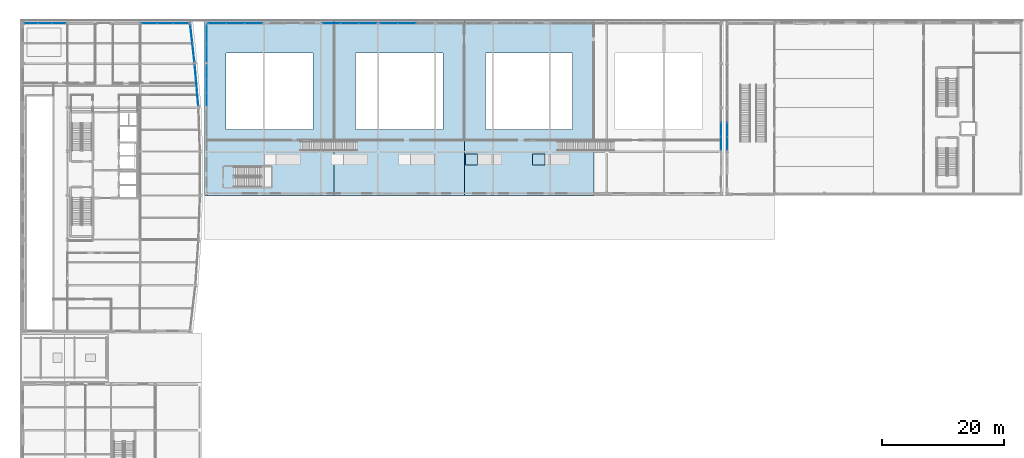
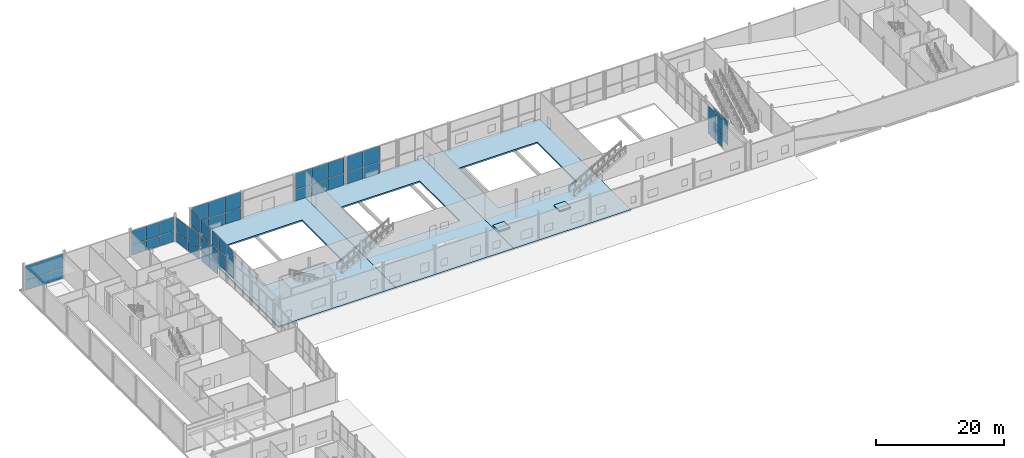
# One storey, part 57 of 83: 55 plates, 5 slabs, 11 elements without a shape of their own.
"""IFC4 building model written with IfcOpenShell, lengths in metres."""

from ifc_helpers import new_model, si_unit, direction, frame, origin, origin_2d, place, context, subcontext, project, spatial, polyline, rectangle, outline, extrude, material, layer, layer_set, type_object, element, aggregate, save


model = new_model("IFC4")

# Units and contexts
model_context = context("Model", 3, precision=1e-05, world=origin(), true_north=direction((0.0, 1.0)))
body_context = subcontext(model_context, "Body", "Model", "MODEL_VIEW")
ifc_project = project(units=[si_unit("LENGTHUNIT", "METRE"), si_unit("AREAUNIT", "SQUARE_METRE"), si_unit("VOLUMEUNIT", "CUBIC_METRE"), si_unit("PLANEANGLEUNIT", "RADIAN"), si_unit("MASSUNIT", "GRAM", prefix="KILO")], contexts=[model_context])

# Site, building, storey
site_placement = place(None, origin())
site = spatial("IfcSite", under=ifc_project, at=site_placement, CompositionType="ELEMENT")
building_placement = place(site_placement, origin())
building = spatial("IfcBuilding", under=site, at=building_placement, Name="Quillay Park Conservatory", CompositionType="ELEMENT")
storey_placement = place(building_placement, origin())
storey = spatial("IfcBuildingStorey", under=building, at=storey_placement, Name="L00", CompositionType="ELEMENT", Elevation=0.0)

# Curtain wall, plates
ifc_material_1 = material(Name="Thermally Broken Anodised Aluminium 6063-T6", Category="aluminium")
ifc_layer_1 = layer(ifc_material_1, 0.179931640625)
ifc_layer_set_1 = layer_set([ifc_layer_1], Name="UNITISED CURTAIN WALL TOWER (Thermally Broken Anodised Aluminium 6063-T6)")
curtain_wall_type_1 = type_object("IfcCurtainWallType", Name="UNITISED CURTAIN WALL TOWER", PredefinedType="USERDEFINED", material=ifc_layer_set_1)
curtain_wall_1_placement = place(storey_placement, origin())
curtain_wall_1 = element("IfcCurtainWall", 1, at=curtain_wall_1_placement, inside=storey, type_object=curtain_wall_type_1, Name="L00 Unitised Curtain Wall 006", ObjectType="UNITISED CURTAIN WALL", PredefinedType="USERDEFINED")
ifc_material_2 = material(Name="Low-E Double Glazing (Laminated Tempered)", Category="glass")
ifc_layer_2 = layer(ifc_material_2, 0.028076171875)
ifc_layer_set_2 = layer_set([ifc_layer_2], Name="CURTAIN WALL GLAZED PANEL 28 (Low-E Double Glazing (Laminated Tempered))")
plate_type_1 = type_object("IfcPlateType", Name="CURTAIN WALL GLAZED PANEL 28", PredefinedType="CURTAIN_PANEL", material=ifc_layer_set_2)
plate_1_placement = place(storey_placement, frame((28.792236328125, 105.44970703125, 0.06982421875), z_axis=(0.0, 0.0, 1.0), x_axis=(0.086480444465, -0.996253548413, 0.0)))
plate_1 = element("IfcPlate", 2, at=plate_1_placement, type_object=plate_type_1, Name="CW-T1 panel 1.1", PredefinedType="CURTAIN_PANEL", context=body_context, shape_type="SweptSolid", body=[
    extrude(rectangle(XDim=2.170654296875, YDim=0.028076171875, at=origin_2d()), origin(), (0.0, 0.0, 1.0), 1.906494140625),
])
plate_2_placement = place(storey_placement, frame((28.792236328125, 105.44970703125, 2.04638671875), z_axis=(0.0, 0.0, 1.0), x_axis=(0.086480444465, -0.996253548413, 0.0)))
plate_2 = element("IfcPlate", 3, at=plate_2_placement, type_object=plate_type_1, Name="CW-T1 panel 1.2", PredefinedType="CURTAIN_PANEL", context=body_context, shape_type="SweptSolid", body=[
    extrude(rectangle(XDim=2.170654296875, YDim=0.028076171875, at=origin_2d()), origin(), (0.0, 0.0, 1.0), 2.672607421875),
])
plate_3_placement = place(storey_placement, frame((28.987548828125, 103.199951171875, 0.06982421875), z_axis=(0.0, 0.0, 1.0), x_axis=(0.086480444465, -0.996253548413, 0.0)))
plate_3 = element("IfcPlate", 4, at=plate_3_placement, type_object=plate_type_1, Name="CW-T1 panel 2.1", PredefinedType="CURTAIN_PANEL", context=body_context, shape_type="SweptSolid", body=[
    extrude(rectangle(XDim=2.20556640625, YDim=0.028076171875, at=origin_2d()), origin(), (0.0, 0.0, 1.0), 1.906494140625),
])
plate_4_placement = place(storey_placement, frame((28.987548828125, 103.199951171875, 2.04638671875), z_axis=(0.0, 0.0, 1.0), x_axis=(0.086480444465, -0.996253548413, 0.0)))
plate_4 = element("IfcPlate", 5, at=plate_4_placement, type_object=plate_type_1, Name="CW-T1 panel 2.2", PredefinedType="CURTAIN_PANEL", context=body_context, shape_type="SweptSolid", body=[
    extrude(rectangle(XDim=2.20556640625, YDim=0.028076171875, at=origin_2d()), origin(), (0.0, 0.0, 1.0), 2.672607421875),
])
plate_5_placement = place(storey_placement, frame((29.182861328125, 100.9501953125, 2.04638671875), z_axis=(0.0, 0.0, 1.0), x_axis=(0.086480444465, -0.996253548413, 0.0)))
plate_5 = element("IfcPlate", 6, at=plate_5_placement, type_object=plate_type_1, Name="CW-T1 panel 3.2", PredefinedType="CURTAIN_PANEL", context=body_context, shape_type="SweptSolid", body=[
    extrude(rectangle(XDim=2.170654296875, YDim=0.028076171875, at=origin_2d()), origin(), (0.0, 0.0, 1.0), 2.672607421875),
])
aggregate(curtain_wall_1, [plate_1, plate_2, plate_3, plate_4, plate_5])

curtain_wall_2_placement = place(storey_placement, origin())
curtain_wall_2 = element("IfcCurtainWall", 7, at=curtain_wall_2_placement, inside=storey, type_object=curtain_wall_type_1, Name="L00 Unitised Curtain Wall 007", ObjectType="UNITISED CURTAIN WALL", PredefinedType="USERDEFINED")
plate_6_placement = place(storey_placement, frame((28.125732421875, 111.63330078125, 0.06982421875), z_axis=(0.0, 0.0, 1.0), x_axis=(0.112903218278, -0.993605989969, 0.0)))
plate_6 = element("IfcPlate", 8, at=plate_6_placement, type_object=plate_type_1, Name="CW-T1 panel 1.1", PredefinedType="CURTAIN_PANEL", context=body_context, shape_type="SweptSolid", body=[
    extrude(rectangle(XDim=3.016357421875, YDim=0.028076171875, at=origin_2d()), origin(), (0.0, 0.0, 1.0), 1.906494140625),
])
plate_7_placement = place(storey_placement, frame((28.125732421875, 111.63330078125, 2.04638671875), z_axis=(0.0, 0.0, 1.0), x_axis=(0.112903218278, -0.993605989969, 0.0)))
plate_7 = element("IfcPlate", 9, at=plate_7_placement, type_object=plate_type_1, Name="CW-T1 panel 1.2", PredefinedType="CURTAIN_PANEL", context=body_context, shape_type="SweptSolid", body=[
    extrude(rectangle(XDim=3.016357421875, YDim=0.028076171875, at=origin_2d()), origin(), (0.0, 0.0, 1.0), 2.672607421875),
])
plate_8_placement = place(storey_placement, frame((28.47412109375, 108.566650390625, 0.06982421875), z_axis=(0.0, 0.0, 1.0), x_axis=(0.112903218278, -0.993605989969, 0.0)))
plate_8 = element("IfcPlate", 10, at=plate_8_placement, type_object=plate_type_1, Name="CW-T1 panel 2.1", PredefinedType="CURTAIN_PANEL", context=body_context, shape_type="SweptSolid", body=[
    extrude(rectangle(XDim=3.016357421875, YDim=0.028076171875, at=origin_2d()), origin(), (0.0, 0.0, 1.0), 1.906494140625),
])
plate_9_placement = place(storey_placement, frame((28.47412109375, 108.566650390625, 2.04638671875), z_axis=(0.0, 0.0, 1.0), x_axis=(0.112903218278, -0.993605989969, 0.0)))
plate_9 = element("IfcPlate", 11, at=plate_9_placement, type_object=plate_type_1, Name="CW-T1 panel 2.2", PredefinedType="CURTAIN_PANEL", context=body_context, shape_type="SweptSolid", body=[
    extrude(rectangle(XDim=3.016357421875, YDim=0.028076171875, at=origin_2d()), origin(), (0.0, 0.0, 1.0), 2.672607421875),
])
aggregate(curtain_wall_2, [plate_6, plate_7, plate_8, plate_9])

curtain_wall_3_placement = place(storey_placement, origin())
curtain_wall_3 = element("IfcCurtainWall", 12, at=curtain_wall_3_placement, inside=storey, type_object=curtain_wall_type_1, Name="L00 Unitised Curtain Wall 008", ObjectType="UNITISED CURTAIN WALL", PredefinedType="USERDEFINED")
plate_10_placement = place(storey_placement, frame((1.91748046875, 113.39990234375, 0.06982421875), z_axis=(0.0, 0.0, 1.0), x_axis=(1.0, 0.0, 0.0)))
plate_10 = element("IfcPlate", 13, at=plate_10_placement, type_object=plate_type_1, Name="CW-T1 panel 1.1", PredefinedType="CURTAIN_PANEL", context=body_context, shape_type="SweptSolid", body=[
    extrude(rectangle(XDim=2.195068359375, YDim=0.028076171875, at=origin_2d()), origin(), (0.0, 0.0, 1.0), 1.906494140625),
])
plate_11_placement = place(storey_placement, frame((1.91748046875, 113.39990234375, 2.04638671875), z_axis=(0.0, 0.0, 1.0), x_axis=(1.0, 0.0, 0.0)))
plate_11 = element("IfcPlate", 14, at=plate_11_placement, type_object=plate_type_1, Name="CW-T1 panel 1.2", PredefinedType="CURTAIN_PANEL", context=body_context, shape_type="SweptSolid", body=[
    extrude(rectangle(XDim=2.195068359375, YDim=0.028076171875, at=origin_2d()), origin(), (0.0, 0.0, 1.0), 2.672607421875),
])
plate_12_placement = place(storey_placement, frame((4.199951171875, 113.39990234375, 0.06982421875), z_axis=(0.0, 0.0, 1.0), x_axis=(1.0, 0.0, 0.0)))
plate_12 = element("IfcPlate", 15, at=plate_12_placement, type_object=plate_type_1, Name="CW-T1 panel 2.1", PredefinedType="CURTAIN_PANEL", context=body_context, shape_type="SweptSolid", body=[
    extrude(rectangle(XDim=2.22998046875, YDim=0.028076171875, at=origin_2d()), origin(), (0.0, 0.0, 1.0), 1.906494140625),
])
plate_13_placement = place(storey_placement, frame((4.199951171875, 113.39990234375, 2.04638671875), z_axis=(0.0, 0.0, 1.0), x_axis=(1.0, 0.0, 0.0)))
plate_13 = element("IfcPlate", 16, at=plate_13_placement, type_object=plate_type_1, Name="CW-T1 panel 2.2", PredefinedType="CURTAIN_PANEL", context=body_context, shape_type="SweptSolid", body=[
    extrude(rectangle(XDim=2.22998046875, YDim=0.028076171875, at=origin_2d()), origin(), (0.0, 0.0, 1.0), 2.672607421875),
])
plate_14_placement = place(storey_placement, frame((6.482421875, 113.39990234375, 0.06982421875), z_axis=(0.0, 0.0, 1.0), x_axis=(1.0, 0.0, 0.0)))
plate_14 = element("IfcPlate", 17, at=plate_14_placement, type_object=plate_type_1, Name="CW-T1 panel 3.1", PredefinedType="CURTAIN_PANEL", context=body_context, shape_type="SweptSolid", body=[
    extrude(rectangle(XDim=2.195068359375, YDim=0.028076171875, at=origin_2d()), origin(), (0.0, 0.0, 1.0), 1.906494140625),
])
plate_15_placement = place(storey_placement, frame((6.482421875, 113.39990234375, 2.04638671875), z_axis=(0.0, 0.0, 1.0), x_axis=(1.0, 0.0, 0.0)))
plate_15 = element("IfcPlate", 18, at=plate_15_placement, type_object=plate_type_1, Name="CW-T1 panel 3.2", PredefinedType="CURTAIN_PANEL", context=body_context, shape_type="SweptSolid", body=[
    extrude(rectangle(XDim=2.195068359375, YDim=0.028076171875, at=origin_2d()), origin(), (0.0, 0.0, 1.0), 2.672607421875),
])
aggregate(curtain_wall_3, [plate_10, plate_11, plate_12, plate_13, plate_14, plate_15])

curtain_wall_4_placement = place(storey_placement, origin())
curtain_wall_4 = element("IfcCurtainWall", 19, at=curtain_wall_4_placement, inside=storey, type_object=curtain_wall_type_1, Name="L00 Unitised Curtain Wall 009", ObjectType="UNITISED CURTAIN WALL", PredefinedType="USERDEFINED")
plate_16_placement = place(storey_placement, frame((21.263427734375, 113.39990234375, 0.06982421875), z_axis=(0.0, 0.0, 1.0), x_axis=(1.0, 0.0, 0.0)))
plate_16 = element("IfcPlate", 20, at=plate_16_placement, type_object=plate_type_1, Name="CW-T1 panel 1.1", PredefinedType="CURTAIN_PANEL", context=body_context, shape_type="SweptSolid", body=[
    extrude(rectangle(XDim=2.486572265625, YDim=0.028076171875, at=origin_2d()), origin(), (0.0, 0.0, 1.0), 1.906494140625),
])
plate_17_placement = place(storey_placement, frame((21.263427734375, 113.39990234375, 2.04638671875), z_axis=(0.0, 0.0, 1.0), x_axis=(1.0, 0.0, 0.0)))
plate_17 = element("IfcPlate", 21, at=plate_17_placement, type_object=plate_type_1, Name="CW-T1 panel 1.2", PredefinedType="CURTAIN_PANEL", context=body_context, shape_type="SweptSolid", body=[
    extrude(rectangle(XDim=2.486572265625, YDim=0.028076171875, at=origin_2d()), origin(), (0.0, 0.0, 1.0), 2.672607421875),
])
plate_18_placement = place(storey_placement, frame((23.83740234375, 113.39990234375, 0.06982421875), z_axis=(0.0, 0.0, 1.0), x_axis=(1.0, 0.0, 0.0)))
plate_18 = element("IfcPlate", 22, at=plate_18_placement, type_object=plate_type_1, Name="CW-T1 panel 2.1", PredefinedType="CURTAIN_PANEL", context=body_context, shape_type="SweptSolid", body=[
    extrude(rectangle(XDim=2.521728515625, YDim=0.028076171875, at=origin_2d()), origin(), (0.0, 0.0, 1.0), 1.906494140625),
])
plate_19_placement = place(storey_placement, frame((23.83740234375, 113.39990234375, 2.04638671875), z_axis=(0.0, 0.0, 1.0), x_axis=(1.0, 0.0, 0.0)))
plate_19 = element("IfcPlate", 23, at=plate_19_placement, type_object=plate_type_1, Name="CW-T1 panel 2.2", PredefinedType="CURTAIN_PANEL", context=body_context, shape_type="SweptSolid", body=[
    extrude(rectangle(XDim=2.521728515625, YDim=0.028076171875, at=origin_2d()), origin(), (0.0, 0.0, 1.0), 2.672607421875),
])
plate_20_placement = place(storey_placement, frame((26.41162109375, 113.39990234375, 0.06982421875), z_axis=(0.0, 0.0, 1.0), x_axis=(1.0, 0.0, 0.0)))
plate_20 = element("IfcPlate", 24, at=plate_20_placement, type_object=plate_type_1, Name="CW-T1 panel 3.1", PredefinedType="CURTAIN_PANEL", context=body_context, shape_type="SweptSolid", body=[
    extrude(rectangle(XDim=2.486572265625, YDim=0.028076171875, at=origin_2d()), origin(), (0.0, 0.0, 1.0), 1.906494140625),
])
plate_21_placement = place(storey_placement, frame((26.41162109375, 113.39990234375, 2.04638671875), z_axis=(0.0, 0.0, 1.0), x_axis=(1.0, 0.0, 0.0)))
plate_21 = element("IfcPlate", 25, at=plate_21_placement, type_object=plate_type_1, Name="CW-T1 panel 3.2", PredefinedType="CURTAIN_PANEL", context=body_context, shape_type="SweptSolid", body=[
    extrude(rectangle(XDim=2.486572265625, YDim=0.028076171875, at=origin_2d()), origin(), (0.0, 0.0, 1.0), 2.672607421875),
])
aggregate(curtain_wall_4, [plate_16, plate_17, plate_18, plate_19, plate_20, plate_21])

ifc_material_3 = material(Name="Thermally Broken Anodised Aluminium 6063-T6", Category="aluminium")
ifc_layer_3 = layer(ifc_material_3, 0.1650390625)
ifc_layer_set_3 = layer_set([ifc_layer_3], Name="UNITISED CURTAIN WALL PODIUM (Thermally Broken Anodised Aluminium 6063-T6)")
curtain_wall_type_2 = type_object("IfcCurtainWallType", Name="UNITISED CURTAIN WALL PODIUM", PredefinedType="USERDEFINED", material=ifc_layer_set_3)
curtain_wall_5_placement = place(storey_placement, origin())
curtain_wall_5 = element("IfcCurtainWall", 26, at=curtain_wall_5_placement, inside=storey, type_object=curtain_wall_type_2, Name="L00 Unitised Curtain Wall 223", ObjectType="UNITISED CURTAIN WALL", PredefinedType="USERDEFINED")
plate_22_placement = place(storey_placement, frame((115.85009765625, 93.72412109375, 0.06982421875), z_axis=(0.0, 0.0, 1.0), x_axis=(0.0, 1.0, 0.0)))
plate_22 = element("IfcPlate", 27, at=plate_22_placement, type_object=plate_type_1, Name="CW-P1 panel 1.1", PredefinedType="CURTAIN_PANEL", context=body_context, shape_type="SweptSolid", body=[
    extrude(rectangle(XDim=2.188232421875, YDim=0.028076171875, at=origin_2d()), origin(), (0.0, 0.0, 1.0), 1.881103515625),
])
plate_23_placement = place(storey_placement, frame((115.85009765625, 93.72412109375, 2.021240234375), z_axis=(0.0, 0.0, 1.0), x_axis=(0.0, 1.0, 0.0)))
plate_23 = element("IfcPlate", 28, at=plate_23_placement, type_object=plate_type_1, Name="CW-P1 panel 1.2", PredefinedType="CURTAIN_PANEL", context=body_context, shape_type="SweptSolid", body=[
    extrude(rectangle(XDim=2.188232421875, YDim=0.028076171875, at=origin_2d()), origin(), (0.0, 0.0, 1.0), 2.6376953125),
])
plate_24_placement = place(storey_placement, frame((115.85009765625, 96.0, 0.06982421875), z_axis=(0.0, 0.0, 1.0), x_axis=(0.0, 1.0, 0.0)))
plate_24 = element("IfcPlate", 29, at=plate_24_placement, type_object=plate_type_1, Name="CW-P1 panel 2.1", PredefinedType="CURTAIN_PANEL", context=body_context, shape_type="SweptSolid", body=[
    extrude(rectangle(XDim=2.223388671875, YDim=0.028076171875, at=origin_2d()), origin(), (0.0, 0.0, 1.0), 1.881103515625),
])
plate_25_placement = place(storey_placement, frame((115.85009765625, 96.0, 2.021240234375), z_axis=(0.0, 0.0, 1.0), x_axis=(0.0, 1.0, 0.0)))
plate_25 = element("IfcPlate", 30, at=plate_25_placement, type_object=plate_type_1, Name="CW-P1 panel 2.2", PredefinedType="CURTAIN_PANEL", context=body_context, shape_type="SweptSolid", body=[
    extrude(rectangle(XDim=2.223388671875, YDim=0.028076171875, at=origin_2d()), origin(), (0.0, 0.0, 1.0), 2.6376953125),
])
aggregate(curtain_wall_5, [plate_22, plate_23, plate_24, plate_25])

ifc_material_4 = material(Name="Thermally Broken Anodised Aluminium 6063-T6", Category="aluminium")
ifc_layer_4 = layer(ifc_material_4, 0.219970703125)
ifc_layer_set_4 = layer_set([ifc_layer_4], Name="UNITISED CURTAIN WALL CONSERVATORY (Thermally Broken Anodised Aluminium 6063-T6)")
curtain_wall_type_3 = type_object("IfcCurtainWallType", Name="UNITISED CURTAIN WALL CONSERVATORY", PredefinedType="USERDEFINED", material=ifc_layer_set_4)
curtain_wall_6_placement = place(storey_placement, origin())
curtain_wall_6 = element("IfcCurtainWall", 31, at=curtain_wall_6_placement, inside=storey, type_object=curtain_wall_type_3, Name="L00 Unitised Curtain Wall 147", ObjectType="UNITISED CURTAIN WALL", PredefinedType="USERDEFINED")
ifc_material_5 = material(Name="Low-Iron Laminated Insulated Glazing", Category="glass")
ifc_layer_5 = layer(ifc_material_5, 0.031982421875)
ifc_layer_set_5 = layer_set([ifc_layer_5], Name="CURTAIN WALL GLAZED PANEL 32 (Low-Iron Laminated Insulated Glazing)")
plate_type_2 = type_object("IfcPlateType", Name="CURTAIN WALL GLAZED PANEL 32", PredefinedType="CURTAIN_PANEL", material=ifc_layer_set_5)
plate_26_placement = place(storey_placement, frame((32.361328125, 113.39990234375, 0.070068359375), z_axis=(0.0, 0.0, 1.0), x_axis=(1.0, 0.0, 0.0)))
plate_26 = element("IfcPlate", 32, at=plate_26_placement, type_object=plate_type_2, Name="CW-C1 panel 1.1", PredefinedType="CURTAIN_PANEL", context=body_context, shape_type="SweptSolid", body=[
    extrude(rectangle(XDim=2.87890625, YDim=0.031982421875, at=origin_2d()), origin(), (0.0, 0.0, 1.0), 2.1630859375),
])
plate_27_placement = place(storey_placement, frame((32.361328125, 113.39990234375, 2.302734375), z_axis=(0.0, 0.0, 1.0), x_axis=(1.0, 0.0, 0.0)))
plate_27 = element("IfcPlate", 33, at=plate_27_placement, type_object=plate_type_2, Name="CW-C1 panel 1.2", PredefinedType="CURTAIN_PANEL", context=body_context, shape_type="SweptSolid", body=[
    extrude(rectangle(XDim=2.87890625, YDim=0.031982421875, at=origin_2d()), origin(), (0.0, 0.0, 1.0), 3.027099609375),
])
plate_28_placement = place(storey_placement, frame((35.327880859375, 113.39990234375, 0.070068359375), z_axis=(0.0, 0.0, 1.0), x_axis=(1.0, 0.0, 0.0)))
plate_28 = element("IfcPlate", 34, at=plate_28_placement, type_object=plate_type_2, Name="CW-C1 panel 2.1", PredefinedType="CURTAIN_PANEL", context=body_context, shape_type="SweptSolid", body=[
    extrude(rectangle(XDim=2.913818359375, YDim=0.031982421875, at=origin_2d()), origin(), (0.0, 0.0, 1.0), 2.1630859375),
])
plate_29_placement = place(storey_placement, frame((35.327880859375, 113.39990234375, 2.302734375), z_axis=(0.0, 0.0, 1.0), x_axis=(1.0, 0.0, 0.0)))
plate_29 = element("IfcPlate", 35, at=plate_29_placement, type_object=plate_type_2, Name="CW-C1 panel 2.2", PredefinedType="CURTAIN_PANEL", context=body_context, shape_type="SweptSolid", body=[
    extrude(rectangle(XDim=2.913818359375, YDim=0.031982421875, at=origin_2d()), origin(), (0.0, 0.0, 1.0), 3.027099609375),
])
plate_30_placement = place(storey_placement, frame((38.294189453125, 113.39990234375, 0.070068359375), z_axis=(0.0, 0.0, 1.0), x_axis=(1.0, 0.0, 0.0)))
plate_30 = element("IfcPlate", 36, at=plate_30_placement, type_object=plate_type_2, Name="CW-C1 panel 3.1", PredefinedType="CURTAIN_PANEL", context=body_context, shape_type="SweptSolid", body=[
    extrude(rectangle(XDim=2.87890625, YDim=0.031982421875, at=origin_2d()), origin(), (0.0, 0.0, 1.0), 2.1630859375),
])
plate_31_placement = place(storey_placement, frame((38.294189453125, 113.39990234375, 2.302734375), z_axis=(0.0, 0.0, 1.0), x_axis=(1.0, 0.0, 0.0)))
plate_31 = element("IfcPlate", 37, at=plate_31_placement, type_object=plate_type_2, Name="CW-C1 panel 3.2", PredefinedType="CURTAIN_PANEL", context=body_context, shape_type="SweptSolid", body=[
    extrude(rectangle(XDim=2.87890625, YDim=0.031982421875, at=origin_2d()), origin(), (0.0, 0.0, 1.0), 3.027099609375),
])
aggregate(curtain_wall_6, [plate_26, plate_27, plate_28, plate_29, plate_30, plate_31])

curtain_wall_7_placement = place(storey_placement, origin())
curtain_wall_7 = element("IfcCurtainWall", 38, at=curtain_wall_7_placement, inside=storey, type_object=curtain_wall_type_3, Name="L00 Unitised Curtain Wall 150", ObjectType="UNITISED CURTAIN WALL", PredefinedType="USERDEFINED")
plate_32_placement = place(storey_placement, frame((51.072509765625, 113.39990234375, 0.070068359375), z_axis=(0.0, 0.0, 1.0), x_axis=(1.0, 0.0, 0.0)))
plate_32 = element("IfcPlate", 39, at=plate_32_placement, type_object=plate_type_2, Name="CW-C1 panel 1.1", PredefinedType="CURTAIN_PANEL", context=body_context, shape_type="SweptSolid", body=[
    extrude(rectangle(XDim=2.87890625, YDim=0.031982421875, at=origin_2d()), origin(), (0.0, 0.0, 1.0), 2.1630859375),
])
plate_33_placement = place(storey_placement, frame((51.072509765625, 113.39990234375, 2.302734375), z_axis=(0.0, 0.0, 1.0), x_axis=(1.0, 0.0, 0.0)))
plate_33 = element("IfcPlate", 40, at=plate_33_placement, type_object=plate_type_2, Name="CW-C1 panel 1.2", PredefinedType="CURTAIN_PANEL", context=body_context, shape_type="SweptSolid", body=[
    extrude(rectangle(XDim=2.87890625, YDim=0.031982421875, at=origin_2d()), origin(), (0.0, 0.0, 1.0), 3.027099609375),
])
plate_34_placement = place(storey_placement, frame((54.038818359375, 113.39990234375, 0.070068359375), z_axis=(0.0, 0.0, 1.0), x_axis=(1.0, 0.0, 0.0)))
plate_34 = element("IfcPlate", 41, at=plate_34_placement, type_object=plate_type_2, Name="CW-C1 panel 2.1", PredefinedType="CURTAIN_PANEL", context=body_context, shape_type="SweptSolid", body=[
    extrude(rectangle(XDim=2.913818359375, YDim=0.031982421875, at=origin_2d()), origin(), (0.0, 0.0, 1.0), 2.1630859375),
])
plate_35_placement = place(storey_placement, frame((54.038818359375, 113.39990234375, 2.302734375), z_axis=(0.0, 0.0, 1.0), x_axis=(1.0, 0.0, 0.0)))
plate_35 = element("IfcPlate", 42, at=plate_35_placement, type_object=plate_type_2, Name="CW-C1 panel 2.2", PredefinedType="CURTAIN_PANEL", context=body_context, shape_type="SweptSolid", body=[
    extrude(rectangle(XDim=2.913818359375, YDim=0.031982421875, at=origin_2d()), origin(), (0.0, 0.0, 1.0), 3.027099609375),
])
plate_36_placement = place(storey_placement, frame((57.00537109375, 113.39990234375, 0.070068359375), z_axis=(0.0, 0.0, 1.0), x_axis=(1.0, 0.0, 0.0)))
plate_36 = element("IfcPlate", 43, at=plate_36_placement, type_object=plate_type_2, Name="CW-C1 panel 3.1", PredefinedType="CURTAIN_PANEL", context=body_context, shape_type="SweptSolid", body=[
    extrude(rectangle(XDim=2.87890625, YDim=0.031982421875, at=origin_2d()), origin(), (0.0, 0.0, 1.0), 2.1630859375),
])
plate_37_placement = place(storey_placement, frame((57.00537109375, 113.39990234375, 2.302734375), z_axis=(0.0, 0.0, 1.0), x_axis=(1.0, 0.0, 0.0)))
plate_37 = element("IfcPlate", 44, at=plate_37_placement, type_object=plate_type_2, Name="CW-C1 panel 3.2", PredefinedType="CURTAIN_PANEL", context=body_context, shape_type="SweptSolid", body=[
    extrude(rectangle(XDim=2.87890625, YDim=0.031982421875, at=origin_2d()), origin(), (0.0, 0.0, 1.0), 3.027099609375),
])
aggregate(curtain_wall_7, [plate_32, plate_33, plate_34, plate_35, plate_36, plate_37])

curtain_wall_8_placement = place(storey_placement, origin())
curtain_wall_8 = element("IfcCurtainWall", 45, at=curtain_wall_8_placement, inside=storey, type_object=curtain_wall_type_3, Name="L00 Unitised Curtain Wall 152", ObjectType="UNITISED CURTAIN WALL", PredefinedType="USERDEFINED")
plate_38_placement = place(storey_placement, frame((60.42822265625, 113.39990234375, 0.070068359375), z_axis=(0.0, 0.0, 1.0), x_axis=(1.0, 0.0, 0.0)))
plate_38 = element("IfcPlate", 46, at=plate_38_placement, type_object=plate_type_2, Name="CW-C1 panel 1.1", PredefinedType="CURTAIN_PANEL", context=body_context, shape_type="SweptSolid", body=[
    extrude(rectangle(XDim=2.87890625, YDim=0.031982421875, at=origin_2d()), origin(), (0.0, 0.0, 1.0), 2.1630859375),
])
plate_39_placement = place(storey_placement, frame((60.42822265625, 113.39990234375, 2.302734375), z_axis=(0.0, 0.0, 1.0), x_axis=(1.0, 0.0, 0.0)))
plate_39 = element("IfcPlate", 47, at=plate_39_placement, type_object=plate_type_2, Name="CW-C1 panel 1.2", PredefinedType="CURTAIN_PANEL", context=body_context, shape_type="SweptSolid", body=[
    extrude(rectangle(XDim=2.87890625, YDim=0.031982421875, at=origin_2d()), origin(), (0.0, 0.0, 1.0), 3.027099609375),
])
plate_40_placement = place(storey_placement, frame((63.39453125, 113.39990234375, 0.070068359375), z_axis=(0.0, 0.0, 1.0), x_axis=(1.0, 0.0, 0.0)))
plate_40 = element("IfcPlate", 48, at=plate_40_placement, type_object=plate_type_2, Name="CW-C1 panel 2.1", PredefinedType="CURTAIN_PANEL", context=body_context, shape_type="SweptSolid", body=[
    extrude(rectangle(XDim=2.913818359375, YDim=0.031982421875, at=origin_2d()), origin(), (0.0, 0.0, 1.0), 2.1630859375),
])
plate_41_placement = place(storey_placement, frame((63.39453125, 113.39990234375, 2.302734375), z_axis=(0.0, 0.0, 1.0), x_axis=(1.0, 0.0, 0.0)))
plate_41 = element("IfcPlate", 49, at=plate_41_placement, type_object=plate_type_2, Name="CW-C1 panel 2.2", PredefinedType="CURTAIN_PANEL", context=body_context, shape_type="SweptSolid", body=[
    extrude(rectangle(XDim=2.913818359375, YDim=0.031982421875, at=origin_2d()), origin(), (0.0, 0.0, 1.0), 3.027099609375),
])
aggregate(curtain_wall_8, [plate_38, plate_39, plate_40, plate_41])

curtain_wall_9_placement = place(storey_placement, origin())
curtain_wall_9 = element("IfcCurtainWall", 50, at=curtain_wall_9_placement, inside=storey, type_object=curtain_wall_type_3, Name="L00 Unitised Curtain Wall 165", ObjectType="UNITISED CURTAIN WALL", PredefinedType="USERDEFINED")
plate_42_placement = place(storey_placement, frame((114.85009765625, 96.0, 0.070068359375), z_axis=(0.0, 0.0, 1.0), x_axis=(0.0, -1.0, 0.0)))
plate_42 = element("IfcPlate", 51, at=plate_42_placement, type_object=plate_type_2, Name="CW-C1 panel 2.1", PredefinedType="CURTAIN_PANEL", context=body_context, shape_type="SweptSolid", body=[
    extrude(rectangle(XDim=2.1953125, YDim=0.031982421875, at=origin_2d()), origin(), (0.0, 0.0, 1.0), 2.1630859375),
])
plate_43_placement = place(storey_placement, frame((114.85009765625, 96.0, 2.302734375), z_axis=(0.0, 0.0, 1.0), x_axis=(0.0, -1.0, 0.0)))
plate_43 = element("IfcPlate", 52, at=plate_43_placement, type_object=plate_type_2, Name="CW-C1 panel 2.2", PredefinedType="CURTAIN_PANEL", context=body_context, shape_type="SweptSolid", body=[
    extrude(rectangle(XDim=2.1953125, YDim=0.031982421875, at=origin_2d()), origin(), (0.0, 0.0, 1.0), 3.027099609375),
])
plate_44_placement = place(storey_placement, frame((114.85009765625, 93.752197265625, 0.070068359375), z_axis=(0.0, 0.0, 1.0), x_axis=(0.0, -1.0, 0.0)))
plate_44 = element("IfcPlate", 53, at=plate_44_placement, type_object=plate_type_2, Name="CW-C1 panel 3.1", PredefinedType="CURTAIN_PANEL", context=body_context, shape_type="SweptSolid", body=[
    extrude(rectangle(XDim=2.160400390625, YDim=0.031982421875, at=origin_2d()), origin(), (0.0, 0.0, 1.0), 2.1630859375),
])
plate_45_placement = place(storey_placement, frame((114.85009765625, 93.752197265625, 2.302734375), z_axis=(0.0, 0.0, 1.0), x_axis=(0.0, -1.0, 0.0)))
plate_45 = element("IfcPlate", 54, at=plate_45_placement, type_object=plate_type_2, Name="CW-C1 panel 3.2", PredefinedType="CURTAIN_PANEL", context=body_context, shape_type="SweptSolid", body=[
    extrude(rectangle(XDim=2.160400390625, YDim=0.031982421875, at=origin_2d()), origin(), (0.0, 0.0, 1.0), 3.027099609375),
])
aggregate(curtain_wall_9, [plate_42, plate_43, plate_44, plate_45])

curtain_wall_10_placement = place(storey_placement, origin())
curtain_wall_10 = element("IfcCurtainWall", 55, at=curtain_wall_10_placement, inside=storey, type_object=curtain_wall_type_3, Name="L00 Unitised Curtain Wall 167", ObjectType="UNITISED CURTAIN WALL", PredefinedType="USERDEFINED")
plate_46_placement = place(storey_placement, frame((30.64990234375, 100.9521484375, 0.070068359375), z_axis=(0.0, 0.0, 1.0), x_axis=(0.0, 1.0, 0.0)))
plate_46 = element("IfcPlate", 56, at=plate_46_placement, type_object=plate_type_2, Name="CW-C1 panel 1.1", PredefinedType="CURTAIN_PANEL", context=body_context, shape_type="SweptSolid", body=[
    extrude(rectangle(XDim=2.160400390625, YDim=0.031982421875, at=origin_2d()), origin(), (0.0, 0.0, 1.0), 2.1630859375),
])
plate_47_placement = place(storey_placement, frame((30.64990234375, 100.9521484375, 2.302734375), z_axis=(0.0, 0.0, 1.0), x_axis=(0.0, 1.0, 0.0)))
plate_47 = element("IfcPlate", 57, at=plate_47_placement, type_object=plate_type_2, Name="CW-C1 panel 1.2", PredefinedType="CURTAIN_PANEL", context=body_context, shape_type="SweptSolid", body=[
    extrude(rectangle(XDim=2.160400390625, YDim=0.031982421875, at=origin_2d()), origin(), (0.0, 0.0, 1.0), 3.027099609375),
])
plate_48_placement = place(storey_placement, frame((30.64990234375, 103.199951171875, 0.070068359375), z_axis=(0.0, 0.0, 1.0), x_axis=(0.0, 1.0, 0.0)))
plate_48 = element("IfcPlate", 58, at=plate_48_placement, type_object=plate_type_2, Name="CW-C1 panel 2.1", PredefinedType="CURTAIN_PANEL", context=body_context, shape_type="SweptSolid", body=[
    extrude(rectangle(XDim=2.1953125, YDim=0.031982421875, at=origin_2d()), origin(), (0.0, 0.0, 1.0), 2.1630859375),
])
plate_49_placement = place(storey_placement, frame((30.64990234375, 103.199951171875, 2.302734375), z_axis=(0.0, 0.0, 1.0), x_axis=(0.0, 1.0, 0.0)))
plate_49 = element("IfcPlate", 59, at=plate_49_placement, type_object=plate_type_2, Name="CW-C1 panel 2.2", PredefinedType="CURTAIN_PANEL", context=body_context, shape_type="SweptSolid", body=[
    extrude(rectangle(XDim=2.1953125, YDim=0.031982421875, at=origin_2d()), origin(), (0.0, 0.0, 1.0), 3.027099609375),
])
plate_50_placement = place(storey_placement, frame((30.64990234375, 105.44775390625, 0.070068359375), z_axis=(0.0, 0.0, 1.0), x_axis=(0.0, 1.0, 0.0)))
plate_50 = element("IfcPlate", 60, at=plate_50_placement, type_object=plate_type_2, Name="CW-C1 panel 3.1", PredefinedType="CURTAIN_PANEL", context=body_context, shape_type="SweptSolid", body=[
    extrude(rectangle(XDim=2.160400390625, YDim=0.031982421875, at=origin_2d()), origin(), (0.0, 0.0, 1.0), 2.1630859375),
])
plate_51_placement = place(storey_placement, frame((30.64990234375, 105.44775390625, 2.302734375), z_axis=(0.0, 0.0, 1.0), x_axis=(0.0, 1.0, 0.0)))
plate_51 = element("IfcPlate", 61, at=plate_51_placement, type_object=plate_type_2, Name="CW-C1 panel 3.2", PredefinedType="CURTAIN_PANEL", context=body_context, shape_type="SweptSolid", body=[
    extrude(rectangle(XDim=2.160400390625, YDim=0.031982421875, at=origin_2d()), origin(), (0.0, 0.0, 1.0), 3.027099609375),
])
aggregate(curtain_wall_10, [plate_46, plate_47, plate_48, plate_49, plate_50, plate_51])

curtain_wall_11_placement = place(storey_placement, origin())
curtain_wall_11 = element("IfcCurtainWall", 62, at=curtain_wall_11_placement, inside=storey, type_object=curtain_wall_type_3, Name="L00 Unitised Curtain Wall 171", ObjectType="UNITISED CURTAIN WALL", PredefinedType="USERDEFINED")
plate_52_placement = place(storey_placement, frame((30.64990234375, 108.568603515625, 0.070068359375), z_axis=(0.0, 0.0, 1.0), x_axis=(0.0, 1.0, 0.0)))
plate_52 = element("IfcPlate", 63, at=plate_52_placement, type_object=plate_type_2, Name="CW-C1 panel 1.1", PredefinedType="CURTAIN_PANEL", context=body_context, shape_type="SweptSolid", body=[
    extrude(rectangle(XDim=2.992919921875, YDim=0.031982421875, at=origin_2d()), origin(), (0.0, 0.0, 1.0), 2.1630859375),
])
plate_53_placement = place(storey_placement, frame((30.64990234375, 108.568603515625, 2.302734375), z_axis=(0.0, 0.0, 1.0), x_axis=(0.0, 1.0, 0.0)))
plate_53 = element("IfcPlate", 64, at=plate_53_placement, type_object=plate_type_2, Name="CW-C1 panel 1.2", PredefinedType="CURTAIN_PANEL", context=body_context, shape_type="SweptSolid", body=[
    extrude(rectangle(XDim=2.992919921875, YDim=0.031982421875, at=origin_2d()), origin(), (0.0, 0.0, 1.0), 3.027099609375),
])
plate_54_placement = place(storey_placement, frame((30.64990234375, 111.631591796875, 0.070068359375), z_axis=(0.0, 0.0, 1.0), x_axis=(0.0, 1.0, 0.0)))
plate_54 = element("IfcPlate", 65, at=plate_54_placement, type_object=plate_type_2, Name="CW-C1 panel 2.1", PredefinedType="CURTAIN_PANEL", context=body_context, shape_type="SweptSolid", body=[
    extrude(rectangle(XDim=2.992919921875, YDim=0.031982421875, at=origin_2d()), origin(), (0.0, 0.0, 1.0), 2.1630859375),
])
plate_55_placement = place(storey_placement, frame((30.64990234375, 111.631591796875, 2.302734375), z_axis=(0.0, 0.0, 1.0), x_axis=(0.0, 1.0, 0.0)))
plate_55 = element("IfcPlate", 66, at=plate_55_placement, type_object=plate_type_2, Name="CW-C1 panel 2.2", PredefinedType="CURTAIN_PANEL", context=body_context, shape_type="SweptSolid", body=[
    extrude(rectangle(XDim=2.992919921875, YDim=0.031982421875, at=origin_2d()), origin(), (0.0, 0.0, 1.0), 3.027099609375),
])
aggregate(curtain_wall_11, [plate_52, plate_53, plate_54, plate_55])

# Slabs
ifc_material_6 = material(Name="Concrete C35/45 (NCh170 Concrete C35/45)", Category="concrete")
ifc_layer_6 = layer(ifc_material_6, 0.25)
ifc_layer_set_6 = layer_set([ifc_layer_6], Name="RAMP LANDING SLAB 250 (Concrete C35/45 (NCh170 Concrete C35/45))")
slab_type_1 = type_object("IfcSlabType", Name="RAMP LANDING SLAB 250", PredefinedType="LANDING", material=ifc_layer_set_6)
slab_1_placement = place(storey_placement, origin())
element("IfcSlab", 67, at=slab_1_placement, inside=storey, type_object=slab_type_1, Name="RAMP-PED-4 Accessible Landing Platform", PredefinedType="LANDING", context=body_context, shape_type="SweptSolid", body=[
    extrude(outline(polyline([(73.0, 90.199951171875), (75.0, 90.199951171875), (75.0, 92.0), (73.0, 92.0), (73.0, 90.199951171875)])), origin(), (0.0, 0.0, 1.0), 0.280029296875),
])
slab_2_placement = place(storey_placement, origin())
element("IfcSlab", 68, at=slab_2_placement, inside=storey, type_object=slab_type_1, Name="RAMP-PED-5 Accessible Landing Platform", PredefinedType="LANDING", context=body_context, shape_type="SweptSolid", body=[
    extrude(outline(polyline([(84.0, 90.199951171875), (86.0, 90.199951171875), (86.0, 92.0), (84.0, 92.0), (84.0, 90.199951171875)])), origin(), (0.0, 0.0, 1.0), 0.280029296875),
])
ifc_material_7 = material(Name="Concrete C35/45 (NCh170 Concrete C35/45)", Category="concrete")
ifc_layer_7 = layer(ifc_material_7, 0.280029296875)
ifc_layer_set_7 = layer_set([ifc_layer_7], Name="SUSPENDED FLOOR SLAB 280 (Concrete C35/45 (NCh170 Concrete C35/45))")
slab_type_2 = type_object("IfcSlabType", Name="SUSPENDED FLOOR SLAB 280", PredefinedType="FLOOR", material=ifc_layer_set_7)
slab_3_placement = place(storey_placement, frame((0.0, 0.0, -0.280029296875)))
element("IfcSlab", 69, at=slab_3_placement, inside=storey, type_object=slab_type_2, Name="L00 Conservatory Biome Floor Slab 1", PredefinedType="FLOOR", context=body_context, shape_type="SweptSolid", body=[
    extrude(outline(polyline([(30.300048828125, 85.199951171875), (51.5, 85.199951171875), (51.5, 113.800048828125), (30.300048828125, 113.800048828125), (30.300048828125, 85.199951171875)]), holes=[polyline([(33.800048828125, 96.0), (48.0, 96.0), (48.0, 108.5), (33.800048828125, 108.5), (33.800048828125, 96.0)])]), origin(), (0.0, 0.0, 1.0), 0.280029296875),
])
slab_4_placement = place(storey_placement, frame((0.0, 0.0, -0.280029296875)))
element("IfcSlab", 70, at=slab_4_placement, inside=storey, type_object=slab_type_2, Name="L00 Conservatory Biome Floor Slab 2", PredefinedType="FLOOR", context=body_context, shape_type="SweptSolid", body=[
    extrude(outline(polyline([(51.5, 85.199951171875), (72.800048828125, 85.199951171875), (72.800048828125, 113.800048828125), (51.5, 113.800048828125), (51.5, 85.199951171875)]), holes=[polyline([(55.0, 96.0), (69.300048828125, 96.0), (69.300048828125, 108.5), (55.0, 108.5), (55.0, 96.0)])]), origin(), (0.0, 0.0, 1.0), 0.280029296875),
])
slab_5_placement = place(storey_placement, frame((0.0, 0.0, -0.280029296875)))
element("IfcSlab", 71, at=slab_5_placement, inside=storey, type_object=slab_type_2, Name="L00 Conservatory Biome Floor Slab 3", PredefinedType="FLOOR", context=body_context, shape_type="SweptSolid", body=[
    extrude(outline(polyline([(72.800048828125, 85.199951171875), (94.0, 85.199951171875), (94.0, 113.800048828125), (72.800048828125, 113.800048828125), (72.800048828125, 85.199951171875)]), holes=[polyline([(76.300048828125, 96.0), (90.5, 96.0), (90.5, 108.5), (76.300048828125, 108.5), (76.300048828125, 96.0)])]), origin(), (0.0, 0.0, 1.0), 0.280029296875),
])

save(model, "model.ifc")
